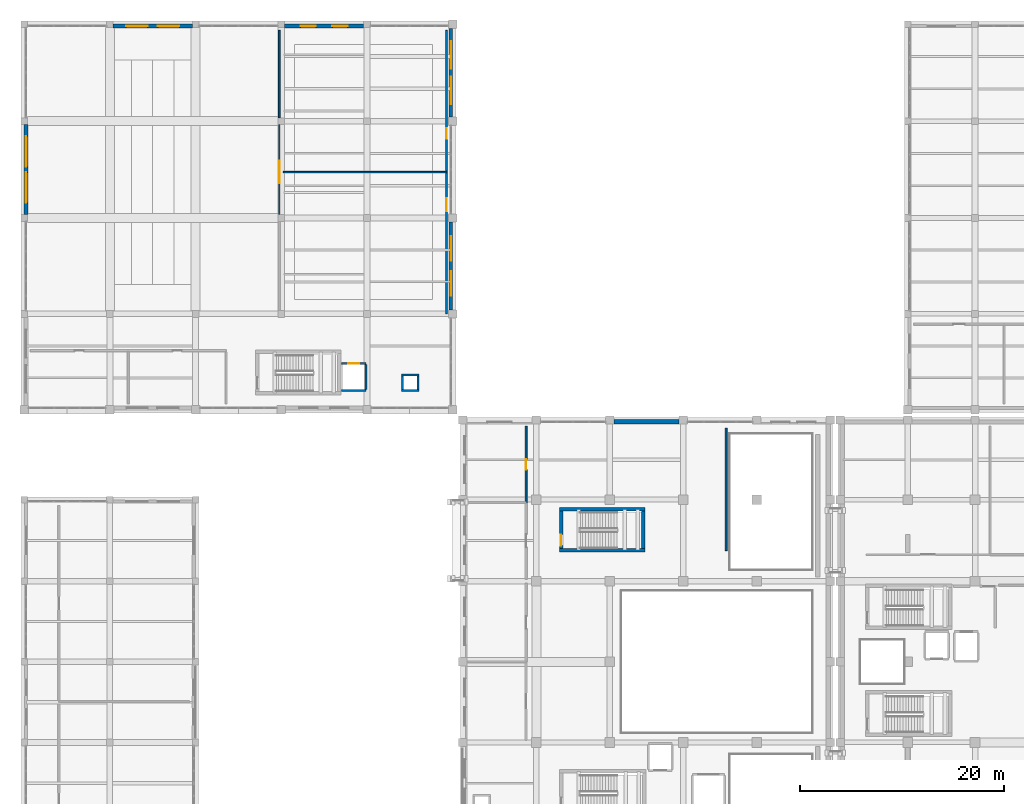
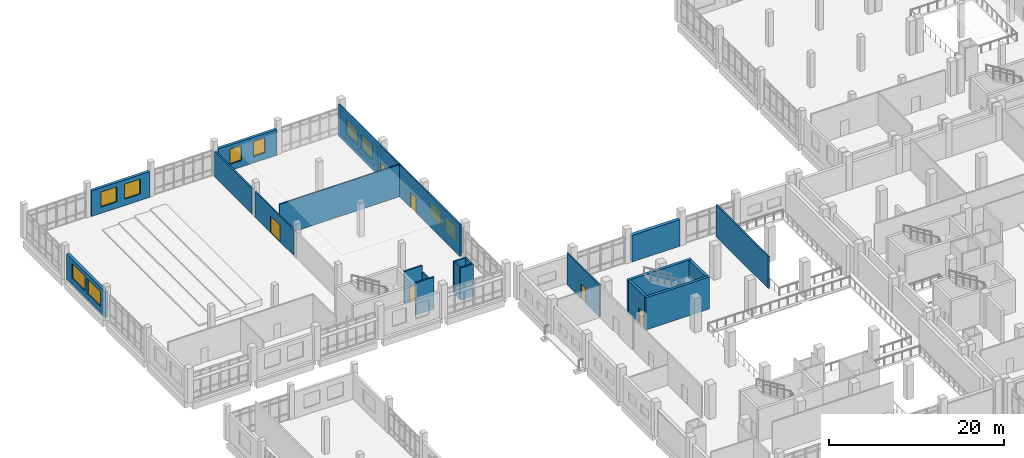
# One storey, part 69 of 90: 24 walls, 10 windows, 6 doors, 16 openings.
"""IFC4 building model written with IfcOpenShell, lengths in metres."""

from ifc_helpers import new_model, si_unit, direction, frame, frame_2d, origin, place, context, subcontext, project, spatial, rectangle, extrude, material, layer, layer_set, type_object, element, fill, save


model = new_model("IFC4")

# Units and contexts
model_context = context("Model", 3, precision=1e-05, world=origin(), true_north=direction((0.0, 1.0)))
body_context = subcontext(model_context, "Body", "Model", "MODEL_VIEW")
ifc_project = project(units=[si_unit("LENGTHUNIT", "METRE"), si_unit("AREAUNIT", "SQUARE_METRE"), si_unit("VOLUMEUNIT", "CUBIC_METRE"), si_unit("PLANEANGLEUNIT", "RADIAN"), si_unit("MASSUNIT", "GRAM", prefix="KILO")], contexts=[model_context])

# Site, building, storey
site_placement = place(None, origin())
site = spatial("IfcSite", under=ifc_project, at=site_placement, CompositionType="ELEMENT")
building_placement = place(site_placement, origin())
building = spatial("IfcBuilding", under=site, at=building_placement, Name="Kelarvand Opera House", CompositionType="ELEMENT")
storey_placement = place(building_placement, frame((0.0, 0.0, 5.39990234375)))
storey = spatial("IfcBuildingStorey", under=building, at=storey_placement, Name="L01", CompositionType="ELEMENT", Elevation=5.39990234375)

# Wall
ifc_material_1 = material(Name="Acoustic double-stud gypsum partition")
ifc_layer_1 = layer(ifc_material_1, 0.14990234375, Name="Acoustic double-stud gypsum partition")
ifc_layer_set_1 = layer_set([ifc_layer_1], Name="Acoustic double-stud gypsum partition")
wall_type_1 = type_object("IfcWallType", Name="Acoustic Room Partition Wall 150", PredefinedType="PARTITIONING", material=ifc_layer_set_1)
wall_1_placement = place(storey_placement, frame((34.39990234375, 110.5, 0.0), z_axis=(0.0, 0.0, 1.0), x_axis=(1.0, 0.0, 0.0)))
element("IfcWall", 1, at=wall_1_placement, inside=storey, type_object=wall_type_1, Name="V3 L01 Partition Wall IW-150 (397)", PredefinedType="PARTITIONING", context=body_context, shape_type="SweptSolid", body=[
    extrude(rectangle(XDim=16.0, YDim=0.14990234375, at=frame_2d((8.0, 0.0))), origin(), (0.0, 0.0, 1.0), 4.4921875),
])

# Wall, openings, windows
ifc_material_2 = material(Name="Concrete C35/45", Category="concrete")
ifc_layer_2 = layer(ifc_material_2, 0.360107421875, Name="Concrete C35/45", Category="concrete")
ifc_layer_set_2 = layer_set([ifc_layer_2], Name="Concrete C35/45")
wall_type_2 = type_object("IfcWallType", Name="Azarshahr Travertine Cavity Wall 360", PredefinedType="SOLIDWALL", material=ifc_layer_set_2)
wall_2_placement = place(storey_placement, frame((50.820068359375, 124.590087890625, 0.0), z_axis=(0.0, 0.0, 1.0), x_axis=(0.0, -1.0, 0.0)))
wall_2 = element("IfcWall", 2, at=wall_2_placement, inside=storey, type_object=wall_type_2, Name="V3 L01 Exterior Wall EW-360 (406)", PredefinedType="SOLIDWALL", context=body_context, shape_type="SweptSolid", body=[
    extrude(rectangle(XDim=8.68017578125, YDim=0.360107421875, at=frame_2d((4.340087890625, 0.0))), origin(), (0.0, 0.0, 1.0), 3.592041015625),
])
opening_1_placement = place(wall_2_placement, frame((1.25390625, 0.0, 0.89990234375)))
opening_1 = element("IfcOpeningElement", 3, at=opening_1_placement, cuts=wall_2, Name="Opening WN-08", PredefinedType="OPENING", context=body_context, shape_type="SweptSolid", body=[
    extrude(rectangle(XDim=2.699951171875, YDim=2.10009765625, at=frame_2d((1.35009765625, 1.050048828125))), frame((0.0, 0.18994140625, 0.0), z_axis=(0.0, -1.0, 0.0), x_axis=(1.0, 0.0, 0.0)), (0.0, 0.0, 1.0), 0.380126953125),
])
opening_2_placement = place(wall_2_placement, frame((4.72607421875, 0.0, 0.89990234375)))
opening_2 = element("IfcOpeningElement", 4, at=opening_2_placement, cuts=wall_2, Name="Opening WN-08", PredefinedType="OPENING", context=body_context, shape_type="SweptSolid", body=[
    extrude(rectangle(XDim=2.699951171875, YDim=2.10009765625, at=frame_2d((1.35009765625, 1.050048828125))), frame((0.0, 0.18994140625, 0.0), z_axis=(0.0, -1.0, 0.0), x_axis=(1.0, 0.0, 0.0)), (0.0, 0.0, 1.0), 0.380126953125),
])
ifc_material_3 = material(Name="Thermally broken aluminium and low-E double glazing", Category="aluminium")
window_type_1 = type_object("IfcWindowType", Name="Recessed Aluminium Thermal Window 2700x2100 WN-08", PartitioningType="SINGLE_PANEL", PredefinedType="WINDOW", material=ifc_material_3)
window_1_placement = place(opening_1_placement, origin())
window_1 = element("IfcWindow", 5, at=window_1_placement, inside=storey, type_object=window_type_1, Name="V3 L01 Facade Window WN-08 (156)", OverallHeight=2.10009765625, OverallWidth=2.699951171875, PartitioningType="SINGLE_PANEL", PredefinedType="WINDOW", context=body_context, shape_type="SweptSolid", body=[
    extrude(rectangle(XDim=2.699951171875, YDim=2.10009765625, at=frame_2d((1.35009765625, 1.050048828125))), frame((0.0, 0.030029296875, 0.0), z_axis=(0.0, -1.0, 0.0), x_axis=(1.0, 0.0, 0.0)), (0.0, 0.0, 1.0), 0.06005859375),
])
fill(opening_1, window_1)
window_2_placement = place(opening_2_placement, origin())
window_2 = element("IfcWindow", 6, at=window_2_placement, inside=storey, type_object=window_type_1, Name="V3 L01 Facade Window WN-08 (157)", OverallHeight=2.10009765625, OverallWidth=2.699951171875, PartitioningType="SINGLE_PANEL", PredefinedType="WINDOW", context=body_context, shape_type="SweptSolid", body=[
    extrude(rectangle(XDim=2.699951171875, YDim=2.10009765625, at=frame_2d((1.35009765625, 1.050048828125))), frame((0.0, 0.030029296875, 0.0), z_axis=(0.0, -1.0, 0.0), x_axis=(1.0, 0.0, 0.0)), (0.0, 0.0, 1.0), 0.06005859375),
])
fill(opening_2, window_2)

wall_3_placement = place(storey_placement, frame((50.820068359375, 105.590087890625, 0.0), z_axis=(0.0, 0.0, 1.0), x_axis=(0.0, -1.0, 0.0)))
wall_3 = element("IfcWall", 7, at=wall_3_placement, inside=storey, type_object=wall_type_2, Name="V3 L01 Exterior Wall EW-360 (407)", PredefinedType="SOLIDWALL", context=body_context, shape_type="SweptSolid", body=[
    extrude(rectangle(XDim=8.580078125, YDim=0.360107421875, at=frame_2d((4.2900390625, 0.0))), origin(), (0.0, 0.0, 1.0), 3.592041015625),
])
opening_3_placement = place(wall_3_placement, frame((1.3740234375, 0.0, 0.89990234375)))
opening_3 = element("IfcOpeningElement", 8, at=opening_3_placement, cuts=wall_3, Name="Opening WN-07", PredefinedType="OPENING", context=body_context, shape_type="SweptSolid", body=[
    extrude(rectangle(XDim=2.39990234375, YDim=2.10009765625, at=frame_2d((1.199951171875, 1.050048828125))), frame((0.0, 0.18994140625, 0.0), z_axis=(0.0, -1.0, 0.0), x_axis=(1.0, 0.0, 0.0)), (0.0, 0.0, 1.0), 0.380126953125),
])
opening_4_placement = place(wall_3_placement, frame((4.805908203125, 0.0, 0.89990234375)))
opening_4 = element("IfcOpeningElement", 9, at=opening_4_placement, cuts=wall_3, Name="Opening WN-07", PredefinedType="OPENING", context=body_context, shape_type="SweptSolid", body=[
    extrude(rectangle(XDim=2.39990234375, YDim=2.10009765625, at=frame_2d((1.199951171875, 1.050048828125))), frame((0.0, 0.18994140625, 0.0), z_axis=(0.0, -1.0, 0.0), x_axis=(1.0, 0.0, 0.0)), (0.0, 0.0, 1.0), 0.380126953125),
])
window_type_2 = type_object("IfcWindowType", Name="Recessed Aluminium Thermal Window 2400x2100 WN-07", PartitioningType="SINGLE_PANEL", PredefinedType="WINDOW", material=ifc_material_3)
window_3_placement = place(opening_3_placement, origin())
window_3 = element("IfcWindow", 10, at=window_3_placement, inside=storey, type_object=window_type_2, Name="V3 L01 Facade Window WN-07 (158)", OverallHeight=2.10009765625, OverallWidth=2.39990234375, PartitioningType="SINGLE_PANEL", PredefinedType="WINDOW", context=body_context, shape_type="SweptSolid", body=[
    extrude(rectangle(XDim=2.39990234375, YDim=2.10009765625, at=frame_2d((1.199951171875, 1.050048828125))), frame((0.0, 0.030029296875, 0.0), z_axis=(0.0, -1.0, 0.0), x_axis=(1.0, 0.0, 0.0)), (0.0, 0.0, 1.0), 0.06005859375),
])
fill(opening_3, window_3)
window_4_placement = place(opening_4_placement, origin())
window_4 = element("IfcWindow", 11, at=window_4_placement, inside=storey, type_object=window_type_2, Name="V3 L01 Facade Window WN-07 (159)", OverallHeight=2.10009765625, OverallWidth=2.39990234375, PartitioningType="SINGLE_PANEL", PredefinedType="WINDOW", context=body_context, shape_type="SweptSolid", body=[
    extrude(rectangle(XDim=2.39990234375, YDim=2.10009765625, at=frame_2d((1.199951171875, 1.050048828125))), frame((0.0, 0.030029296875, 0.0), z_axis=(0.0, -1.0, 0.0), x_axis=(1.0, 0.0, 0.0)), (0.0, 0.0, 1.0), 0.06005859375),
])
fill(opening_4, window_4)

wall_4_placement = place(storey_placement, frame((17.72509765625, 124.820068359375, 0.0), z_axis=(0.0, 0.0, 1.0), x_axis=(1.0, 0.0, 0.0)))
wall_4 = element("IfcWall", 12, at=wall_4_placement, inside=storey, type_object=wall_type_2, Name="V3 L01 Exterior Wall EW-360 (408)", PredefinedType="SOLIDWALL", context=body_context, shape_type="SweptSolid", body=[
    extrude(rectangle(XDim=7.75, YDim=0.360107421875, at=frame_2d((3.875, 0.0))), origin(), (0.0, 0.0, 1.0), 3.592041015625),
])
opening_5_placement = place(wall_4_placement, frame((1.27490234375, 0.0, 0.89990234375)))
opening_5 = element("IfcOpeningElement", 13, at=opening_5_placement, cuts=wall_4, Name="Opening WN-06", PredefinedType="OPENING", context=body_context, shape_type="SweptSolid", body=[
    extrude(rectangle(XDim=2.10009765625, YDim=2.10009765625, at=frame_2d((1.050048828125, 1.050048828125))), frame((0.0, 0.18994140625, 0.0), z_axis=(0.0, -1.0, 0.0), x_axis=(1.0, 0.0, 0.0)), (0.0, 0.0, 1.0), 0.380126953125),
])
opening_6_placement = place(wall_4_placement, frame((4.375, 0.0, 0.89990234375)))
opening_6 = element("IfcOpeningElement", 14, at=opening_6_placement, cuts=wall_4, Name="Opening WN-06", PredefinedType="OPENING", context=body_context, shape_type="SweptSolid", body=[
    extrude(rectangle(XDim=2.10009765625, YDim=2.10009765625, at=frame_2d((1.050048828125, 1.050048828125))), frame((0.0, 0.18994140625, 0.0), z_axis=(0.0, -1.0, 0.0), x_axis=(1.0, 0.0, 0.0)), (0.0, 0.0, 1.0), 0.380126953125),
])
window_type_3 = type_object("IfcWindowType", Name="Recessed Aluminium Thermal Window 2100x2100 WN-06", PartitioningType="SINGLE_PANEL", PredefinedType="WINDOW", material=ifc_material_3)
window_5_placement = place(opening_5_placement, origin())
window_5 = element("IfcWindow", 15, at=window_5_placement, inside=storey, type_object=window_type_3, Name="V3 L01 Facade Window WN-06 (160)", OverallHeight=2.10009765625, OverallWidth=2.10009765625, PartitioningType="SINGLE_PANEL", PredefinedType="WINDOW", context=body_context, shape_type="SweptSolid", body=[
    extrude(rectangle(XDim=2.10009765625, YDim=2.10009765625, at=frame_2d((1.050048828125, 1.050048828125))), frame((0.0, 0.030029296875, 0.0), z_axis=(0.0, -1.0, 0.0), x_axis=(1.0, 0.0, 0.0)), (0.0, 0.0, 1.0), 0.06005859375),
])
fill(opening_5, window_5)
window_6_placement = place(opening_6_placement, origin())
window_6 = element("IfcWindow", 16, at=window_6_placement, inside=storey, type_object=window_type_3, Name="V3 L01 Facade Window WN-06 (161)", OverallHeight=2.10009765625, OverallWidth=2.10009765625, PartitioningType="SINGLE_PANEL", PredefinedType="WINDOW", context=body_context, shape_type="SweptSolid", body=[
    extrude(rectangle(XDim=2.10009765625, YDim=2.10009765625, at=frame_2d((1.050048828125, 1.050048828125))), frame((0.0, 0.030029296875, 0.0), z_axis=(0.0, -1.0, 0.0), x_axis=(1.0, 0.0, 0.0)), (0.0, 0.0, 1.0), 0.06005859375),
])
fill(opening_6, window_6)

wall_5_placement = place(storey_placement, frame((34.52490234375, 124.820068359375, 0.0), z_axis=(0.0, 0.0, 1.0), x_axis=(1.0, 0.0, 0.0)))
wall_5 = element("IfcWall", 17, at=wall_5_placement, inside=storey, type_object=wall_type_2, Name="V3 L01 Exterior Wall EW-360 (409)", PredefinedType="SOLIDWALL", context=body_context, shape_type="SweptSolid", body=[
    extrude(rectangle(XDim=7.75, YDim=0.360107421875, at=frame_2d((3.875, 0.0))), origin(), (0.0, 0.0, 1.0), 3.592041015625),
])
opening_7_placement = place(wall_5_placement, frame((1.574951171875, 0.0, 0.89990234375)))
opening_7 = element("IfcOpeningElement", 18, at=opening_7_placement, cuts=wall_5, Name="Opening WN-04", PredefinedType="OPENING", context=body_context, shape_type="SweptSolid", body=[
    extrude(rectangle(XDim=1.5, YDim=2.10009765625, at=frame_2d((0.75, 1.050048828125))), frame((0.0, 0.18994140625, 0.0), z_axis=(0.0, -1.0, 0.0), x_axis=(1.0, 0.0, 0.0)), (0.0, 0.0, 1.0), 0.380126953125),
])
opening_8_placement = place(wall_5_placement, frame((4.675048828125, 0.0, 0.89990234375)))
opening_8 = element("IfcOpeningElement", 19, at=opening_8_placement, cuts=wall_5, Name="Opening WN-04", PredefinedType="OPENING", context=body_context, shape_type="SweptSolid", body=[
    extrude(rectangle(XDim=1.5, YDim=2.10009765625, at=frame_2d((0.75, 1.050048828125))), frame((0.0, 0.18994140625, 0.0), z_axis=(0.0, -1.0, 0.0), x_axis=(1.0, 0.0, 0.0)), (0.0, 0.0, 1.0), 0.380126953125),
])
window_type_4 = type_object("IfcWindowType", Name="Recessed Aluminium Thermal Window 1500x2100 WN-04", PartitioningType="SINGLE_PANEL", PredefinedType="WINDOW", material=ifc_material_3)
window_7_placement = place(opening_7_placement, origin())
window_7 = element("IfcWindow", 20, at=window_7_placement, inside=storey, type_object=window_type_4, Name="V3 L01 Facade Window WN-04 (162)", OverallHeight=2.10009765625, OverallWidth=1.5, PartitioningType="SINGLE_PANEL", PredefinedType="WINDOW", context=body_context, shape_type="SweptSolid", body=[
    extrude(rectangle(XDim=1.5, YDim=2.10009765625, at=frame_2d((0.75, 1.050048828125))), frame((0.0, 0.030029296875, 0.0), z_axis=(0.0, -1.0, 0.0), x_axis=(1.0, 0.0, 0.0)), (0.0, 0.0, 1.0), 0.06005859375),
])
fill(opening_7, window_7)
window_8_placement = place(opening_8_placement, origin())
window_8 = element("IfcWindow", 21, at=window_8_placement, inside=storey, type_object=window_type_4, Name="V3 L01 Facade Window WN-04 (163)", OverallHeight=2.10009765625, OverallWidth=1.5, PartitioningType="SINGLE_PANEL", PredefinedType="WINDOW", context=body_context, shape_type="SweptSolid", body=[
    extrude(rectangle(XDim=1.5, YDim=2.10009765625, at=frame_2d((0.75, 1.050048828125))), frame((0.0, 0.030029296875, 0.0), z_axis=(0.0, -1.0, 0.0), x_axis=(1.0, 0.0, 0.0)), (0.0, 0.0, 1.0), 0.06005859375),
])
fill(opening_8, window_8)

wall_6_placement = place(storey_placement, frame((9.179931640625, 106.324951171875, 0.0), z_axis=(0.0, 0.0, 1.0), x_axis=(0.0, 1.0, 0.0)))
wall_6 = element("IfcWall", 22, at=wall_6_placement, inside=storey, type_object=wall_type_2, Name="V3 L01 Exterior Wall EW-360 (411)", PredefinedType="SOLIDWALL", context=body_context, shape_type="SweptSolid", body=[
    extrude(rectangle(XDim=8.85009765625, YDim=0.360107421875, at=frame_2d((4.425048828125, 0.0))), origin(), (0.0, 0.0, 1.0), 3.592041015625),
])
opening_9_placement = place(wall_6_placement, frame((1.155029296875, 0.0, 0.89990234375)))
opening_9 = element("IfcOpeningElement", 23, at=opening_9_placement, cuts=wall_6, Name="Opening WN-09", PredefinedType="OPENING", context=body_context, shape_type="SweptSolid", body=[
    extrude(rectangle(XDim=3.0, YDim=2.10009765625, at=frame_2d((1.5, 1.050048828125))), frame((0.0, 0.18994140625, 0.0), z_axis=(0.0, -1.0, 0.0), x_axis=(1.0, 0.0, 0.0)), (0.0, 0.0, 1.0), 0.380126953125),
])
opening_10_placement = place(wall_6_placement, frame((4.695068359375, 0.0, 0.89990234375)))
opening_10 = element("IfcOpeningElement", 24, at=opening_10_placement, cuts=wall_6, Name="Opening WN-09", PredefinedType="OPENING", context=body_context, shape_type="SweptSolid", body=[
    extrude(rectangle(XDim=3.0, YDim=2.10009765625, at=frame_2d((1.5, 1.050048828125))), frame((0.0, 0.18994140625, 0.0), z_axis=(0.0, -1.0, 0.0), x_axis=(1.0, 0.0, 0.0)), (0.0, 0.0, 1.0), 0.380126953125),
])
window_type_5 = type_object("IfcWindowType", Name="Recessed Aluminium Thermal Window 3000x2100 WN-09", PartitioningType="SINGLE_PANEL", PredefinedType="WINDOW", material=ifc_material_3)
window_9_placement = place(opening_9_placement, origin())
window_9 = element("IfcWindow", 25, at=window_9_placement, inside=storey, type_object=window_type_5, Name="V3 L01 Facade Window WN-09 (166)", OverallHeight=2.10009765625, OverallWidth=3.0, PartitioningType="SINGLE_PANEL", PredefinedType="WINDOW", context=body_context, shape_type="SweptSolid", body=[
    extrude(rectangle(XDim=3.0, YDim=2.10009765625, at=frame_2d((1.5, 1.050048828125))), frame((0.0, 0.030029296875, 0.0), z_axis=(0.0, -1.0, 0.0), x_axis=(1.0, 0.0, 0.0)), (0.0, 0.0, 1.0), 0.06005859375),
])
fill(opening_9, window_9)
window_10_placement = place(opening_10_placement, origin())
window_10 = element("IfcWindow", 26, at=window_10_placement, inside=storey, type_object=window_type_5, Name="V3 L01 Facade Window WN-09 (167)", OverallHeight=2.10009765625, OverallWidth=3.0, PartitioningType="SINGLE_PANEL", PredefinedType="WINDOW", context=body_context, shape_type="SweptSolid", body=[
    extrude(rectangle(XDim=3.0, YDim=2.10009765625, at=frame_2d((1.5, 1.050048828125))), frame((0.0, 0.030029296875, 0.0), z_axis=(0.0, -1.0, 0.0), x_axis=(1.0, 0.0, 0.0)), (0.0, 0.0, 1.0), 0.06005859375),
])
fill(opening_10, window_10)

# Walls
ifc_material_4 = material(Name="Concrete C40/50", Category="concrete")
ifc_layer_3 = layer(ifc_material_4, 0.35009765625, Name="Concrete C40/50", Category="concrete")
ifc_layer_set_3 = layer_set([ifc_layer_3], Name="Concrete C40/50")
wall_type_3 = type_object("IfcWallType", Name="Core Stair and Lift Shear Wall 350", PredefinedType="SHEAR", material=ifc_layer_set_3)
for number, where, z_axis, x_axis, name in (
    (27, (61.449951171875, 73.425048828125, 0.0), (0.0, 0.0, 1.0), (1.0, 0.0, 0.0), "C3 Stair Core Shear Wall S L01"),
    (28, (69.85009765625, 77.47509765625, 0.0), (0.0, 0.0, 1.0), (-1.0, 0.0, 0.0), "C3 Stair Core Shear Wall N L01"),
):
    element("IfcWall", number, at=place(storey_placement, frame(where, z_axis=z_axis, x_axis=x_axis)), inside=storey, type_object=wall_type_3, Name=name, PredefinedType="SHEAR", context=body_context, shape_type="SweptSolid", body=[
        extrude(rectangle(XDim=8.400146484375, YDim=0.35009765625, at=frame_2d((4.2001953125, 0.0))), origin(), (0.0, 0.0, 1.0), 4.47998046875),
    ])

# Wall, opening, door
wall_7_placement = place(storey_placement, frame((61.625, 73.60009765625, 0.0), z_axis=(0.0, 0.0, 1.0), x_axis=(0.0, 1.0, 0.0)))
wall_7 = element("IfcWall", 29, at=wall_7_placement, inside=storey, type_object=wall_type_3, Name="C3 Stair Core Shear Wall W L01", PredefinedType="SHEAR", context=body_context, shape_type="SweptSolid", body=[
    extrude(rectangle(XDim=3.699951171875, YDim=0.35009765625, at=frame_2d((1.85009765625, 0.0))), origin(), (0.0, 0.0, 1.0), 4.47998046875),
])
opening_11_placement = place(wall_7_placement, frame((0.280029296875, 0.0, 0.0)))
opening_11 = element("IfcOpeningElement", 30, at=opening_11_placement, cuts=wall_7, Name="Opening FD-01", PredefinedType="OPENING", context=body_context, shape_type="SweptSolid", body=[
    extrude(rectangle(XDim=1.10009765625, YDim=2.080078125, at=frame_2d((0.550048828125, 1.0400390625))), frame((0.0, 0.18505859375, 0.0), z_axis=(0.0, -1.0, 0.0), x_axis=(1.0, 0.0, 0.0)), (0.0, 0.0, 1.0), 0.3701171875),
])
ifc_material_5 = material(Name="Fire-rated brushed stainless steel", Category="steel")
door_type_1 = type_object("IfcDoorType", Name="Steel Fire-Rated Stair and FF Lobby Door 1100x2080", OperationType="NOTDEFINED", PredefinedType="DOOR", material=ifc_material_5)
door_1_placement = place(opening_11_placement, origin())
door_1 = element("IfcDoor", 31, at=door_1_placement, inside=storey, type_object=door_type_1, Name="C3 Stair ST-03 Fire Door L01", OperationType="SINGLE_SWING_LEFT", OverallHeight=2.080078125, OverallWidth=1.10009765625, PredefinedType="DOOR", context=body_context, shape_type="SweptSolid", body=[
    extrude(rectangle(XDim=1.10009765625, YDim=2.080078125, at=frame_2d((0.550048828125, 1.0400390625))), frame((0.0, 0.02490234375, 0.0), z_axis=(0.0, -1.0, 0.0), x_axis=(1.0, 0.0, 0.0)), (0.0, 0.0, 1.0), 0.050048828125),
])
fill(opening_11, door_1)

# Wall
wall_8_placement = place(storey_placement, frame((69.675048828125, 77.300048828125, 0.0), z_axis=(0.0, 0.0, 1.0), x_axis=(0.0, -1.0, 0.0)))
element("IfcWall", 32, at=wall_8_placement, inside=storey, type_object=wall_type_3, Name="C3 Stair Core Shear Wall E L01", PredefinedType="SHEAR", context=body_context, shape_type="SweptSolid", body=[
    extrude(rectangle(XDim=3.699951171875, YDim=0.35009765625, at=frame_2d((1.85009765625, 0.0))), origin(), (0.0, 0.0, 1.0), 4.47998046875),
])

# Wall, opening, door
ifc_layer_4 = layer(ifc_material_2, 0.179931640625, Name="Concrete C35/45", Category="concrete")
ifc_layer_set_4 = layer_set([ifc_layer_4], Name="Concrete C35/45")
wall_type_4 = type_object("IfcWallType", Name="Corridor Fire-Rated Partition Wall 180 EI90", PredefinedType="PARTITIONING", material=ifc_layer_set_4)
wall_9_placement = place(storey_placement, frame((58.199951171875, 78.10009765625, 0.0), z_axis=(0.0, 0.0, 1.0), x_axis=(0.0, 1.0, 0.0)))
wall_9 = element("IfcWall", 33, at=wall_9_placement, inside=storey, type_object=wall_type_4, Name="V2 L01 Partition Wall IW-90 (391)", PredefinedType="PARTITIONING", context=body_context, shape_type="SweptSolid", body=[
    extrude(rectangle(XDim=7.5, YDim=0.179931640625, at=frame_2d((3.75, 0.0))), origin(), (0.0, 0.0, 1.0), 4.47216796875),
])
opening_12_placement = place(wall_9_placement, frame((3.22509765625, 0.0, 0.0)))
opening_12 = element("IfcOpeningElement", 34, at=opening_12_placement, cuts=wall_9, Name="Opening D-02", PredefinedType="OPENING", context=body_context, shape_type="SweptSolid", body=[
    extrude(rectangle(XDim=1.050048828125, YDim=2.10009765625, at=frame_2d((0.52490234375, 1.050048828125))), frame((0.0, 0.10009765625, 0.0), z_axis=(0.0, -1.0, 0.0), x_axis=(1.0, 0.0, 0.0)), (0.0, 0.0, 1.0), 0.199951171875),
])
ifc_material_6 = material(Name="Acoustic walnut-veneered hardwood", Category="wood")
door_type_2 = type_object("IfcDoorType", Name="Acoustic Studio Single Door 1050x2100", OperationType="NOTDEFINED", PredefinedType="DOOR", material=ifc_material_6)
door_2_placement = place(opening_12_placement, origin())
door_2 = element("IfcDoor", 35, at=door_2_placement, inside=storey, type_object=door_type_2, Name="V2 L01 Door D-02 (171)", OperationType="SINGLE_SWING_LEFT", OverallHeight=2.10009765625, OverallWidth=1.050048828125, PredefinedType="DOOR", context=body_context, shape_type="SweptSolid", body=[
    extrude(rectangle(XDim=1.050048828125, YDim=2.10009765625, at=frame_2d((0.52490234375, 1.050048828125))), frame((0.0, 0.02490234375, 0.0), z_axis=(0.0, -1.0, 0.0), x_axis=(1.0, 0.0, 0.0)), (0.0, 0.0, 1.0), 0.050048828125),
])
fill(opening_12, door_2)

# Wall
wall_10_placement = place(storey_placement, frame((77.800048828125, 73.39990234375, 0.0), z_axis=(0.0, 0.0, 1.0), x_axis=(0.0, 1.0, 0.0)))
element("IfcWall", 36, at=wall_10_placement, inside=storey, type_object=wall_type_4, Name="V2 L01 Partition Wall IW-90 (392)", PredefinedType="PARTITIONING", context=body_context, shape_type="SweptSolid", body=[
    extrude(rectangle(XDim=12.0, YDim=0.179931640625, at=frame_2d((6.0, 0.0))), origin(), (0.0, 0.0, 1.0), 4.47216796875),
])

# Wall, opening, door
wall_11_placement = place(storey_placement, frame((34.0, 106.324951171875, 0.0), z_axis=(0.0, 0.0, 1.0), x_axis=(0.0, 1.0, 0.0)))
wall_11 = element("IfcWall", 37, at=wall_11_placement, inside=storey, type_object=wall_type_4, Name="V3 L01 Partition Wall IW-90 (394)", PredefinedType="PARTITIONING", context=body_context, shape_type="SweptSolid", body=[
    extrude(rectangle(XDim=8.85009765625, YDim=0.179931640625, at=frame_2d((4.425048828125, 0.0))), origin(), (0.0, 0.0, 1.0), 3.592041015625),
])
opening_13_placement = place(wall_11_placement, frame((3.074951171875, 0.0, 0.0)))
opening_13 = element("IfcOpeningElement", 38, at=opening_13_placement, cuts=wall_11, Name="Opening D-18", PredefinedType="OPENING", context=body_context, shape_type="SweptSolid", body=[
    extrude(rectangle(XDim=2.199951171875, YDim=2.320068359375, at=frame_2d((1.10009765625, 1.16015625))), frame((0.0, 0.10009765625, 0.0), z_axis=(0.0, -1.0, 0.0), x_axis=(1.0, 0.0, 0.0)), (0.0, 0.0, 1.0), 0.199951171875),
])
door_type_3 = type_object("IfcDoorType", Name="Main Concourse Glazed Double Door 2200x2320", OperationType="NOTDEFINED", PredefinedType="DOOR", material=ifc_material_6)
door_3_placement = place(opening_13_placement, origin())
door_3 = element("IfcDoor", 39, at=door_3_placement, inside=storey, type_object=door_type_3, Name="V3 L01 Door D-18 (172)", OperationType="DOUBLE_DOOR_SINGLE_SWING", OverallHeight=2.320068359375, OverallWidth=2.199951171875, PredefinedType="DOOR", context=body_context, shape_type="SweptSolid", body=[
    extrude(rectangle(XDim=2.199951171875, YDim=2.320068359375, at=frame_2d((1.10009765625, 1.16015625))), frame((0.0, 0.02490234375, 0.0), z_axis=(0.0, -1.0, 0.0), x_axis=(1.0, 0.0, 0.0)), (0.0, 0.0, 1.0), 0.050048828125),
])
fill(opening_13, door_3)

# Wall
wall_12_placement = place(storey_placement, frame((34.0, 115.824951171875, 0.0), z_axis=(0.0, 0.0, 1.0), x_axis=(0.0, 1.0, 0.0)))
element("IfcWall", 40, at=wall_12_placement, inside=storey, type_object=wall_type_4, Name="V3 L01 Partition Wall IW-90 (395)", PredefinedType="PARTITIONING", context=body_context, shape_type="SweptSolid", body=[
    extrude(rectangle(XDim=8.574951171875, YDim=0.179931640625, at=frame_2d((4.28759765625, 0.0))), origin(), (0.0, 0.0, 1.0), 3.592041015625),
])

# Wall, opening, door
wall_13_placement = place(storey_placement, frame((50.39990234375, 96.60009765625, 0.0), z_axis=(0.0, 0.0, 1.0), x_axis=(0.0, 1.0, 0.0)))
wall_13 = element("IfcWall", 41, at=wall_13_placement, inside=storey, type_object=wall_type_4, Name="V3 L01 Partition Wall IW-90 (396)", PredefinedType="PARTITIONING", context=body_context, shape_type="SweptSolid", body=[
    extrude(rectangle(XDim=13.89990234375, YDim=0.179931640625, at=frame_2d((6.949951171875, 0.0))), origin(), (0.0, 0.0, 1.0), 4.4921875),
])
opening_14_placement = place(wall_13_placement, frame((10.048095703125, 0.0, 0.0)))
opening_14 = element("IfcOpeningElement", 42, at=opening_14_placement, cuts=wall_13, Name="Opening D-11", PredefinedType="OPENING", context=body_context, shape_type="SweptSolid", body=[
    extrude(rectangle(XDim=1.280029296875, YDim=2.139892578125, at=frame_2d((0.64013671875, 1.06982421875))), frame((0.0, 0.10009765625, 0.0), z_axis=(0.0, -1.0, 0.0), x_axis=(1.0, 0.0, 0.0)), (0.0, 0.0, 1.0), 0.199951171875),
])
door_type_4 = type_object("IfcDoorType", Name="Instrument Store Leaf-and-Half Door 1280x2140", OperationType="NOTDEFINED", PredefinedType="DOOR", material=ifc_material_6)
door_4_placement = place(opening_14_placement, origin())
door_4 = element("IfcDoor", 43, at=door_4_placement, inside=storey, type_object=door_type_4, Name="V3 L01 Door D-11 (173)", OperationType="SINGLE_SWING_RIGHT", OverallHeight=2.139892578125, OverallWidth=1.280029296875, PredefinedType="DOOR", context=body_context, shape_type="SweptSolid", body=[
    extrude(rectangle(XDim=1.280029296875, YDim=2.139892578125, at=frame_2d((0.64013671875, 1.06982421875))), frame((0.0, 0.02490234375, 0.0), z_axis=(0.0, -1.0, 0.0), x_axis=(1.0, 0.0, 0.0)), (0.0, 0.0, 1.0), 0.050048828125),
])
fill(opening_14, door_4)

wall_14_placement = place(storey_placement, frame((50.39990234375, 110.5, 0.0), z_axis=(0.0, 0.0, 1.0), x_axis=(0.0, 1.0, 0.0)))
wall_14 = element("IfcWall", 44, at=wall_14_placement, inside=storey, type_object=wall_type_4, Name="V3 L01 Partition Wall IW-90 (398)", PredefinedType="PARTITIONING", context=body_context, shape_type="SweptSolid", body=[
    extrude(rectangle(XDim=13.89990234375, YDim=0.179931640625, at=frame_2d((6.949951171875, 0.0))), origin(), (0.0, 0.0, 1.0), 4.4921875),
])
opening_15_placement = place(wall_14_placement, frame((3.2529296875, 0.0, 0.0)))
opening_15 = element("IfcOpeningElement", 45, at=opening_15_placement, cuts=wall_14, Name="Opening D-02", PredefinedType="OPENING", context=body_context, shape_type="SweptSolid", body=[
    extrude(rectangle(XDim=1.050048828125, YDim=2.10009765625, at=frame_2d((0.52490234375, 1.050048828125))), frame((0.0, 0.10009765625, 0.0), z_axis=(0.0, -1.0, 0.0), x_axis=(1.0, 0.0, 0.0)), (0.0, 0.0, 1.0), 0.199951171875),
])
door_5_placement = place(opening_15_placement, origin())
door_5 = element("IfcDoor", 46, at=door_5_placement, inside=storey, type_object=door_type_2, Name="V3 L01 Door D-02 (174)", OperationType="SINGLE_SWING_LEFT", OverallHeight=2.10009765625, OverallWidth=1.050048828125, PredefinedType="DOOR", context=body_context, shape_type="SweptSolid", body=[
    extrude(rectangle(XDim=1.050048828125, YDim=2.10009765625, at=frame_2d((0.52490234375, 1.050048828125))), frame((0.0, 0.02490234375, 0.0), z_axis=(0.0, -1.0, 0.0), x_axis=(1.0, 0.0, 0.0)), (0.0, 0.0, 1.0), 0.050048828125),
])
fill(opening_15, door_5)

# Walls
ifc_layer_5 = layer(ifc_material_2, 0.199951171875, Name="Concrete C35/45", Category="concrete")
ifc_layer_set_5 = layer_set([ifc_layer_5], Name="Concrete C35/45")
wall_type_5 = type_object("IfcWallType", Name="Lift and Riser Shaft Enclosure Wall 200 EI120", PredefinedType="PARTITIONING", material=ifc_layer_set_5)
for number, where, z_axis, x_axis, name in (
    (47, (46.0, 89.10009765625, 0.0), (0.0, 0.0, 1.0), (1.0, 0.0, 0.0), "RSR-V3 L01 Riser Shaft Wall 57"),
    (48, (47.699951171875, 90.60009765625, 0.0), (0.0, 0.0, 1.0), (-1.0, 0.0, 0.0), "RSR-V3 L01 Riser Shaft Wall 58"),
):
    element("IfcWall", number, at=place(storey_placement, frame(where, z_axis=z_axis, x_axis=x_axis)), inside=storey, type_object=wall_type_5, Name=name, PredefinedType="PARTITIONING", context=body_context, shape_type="SweptSolid", body=[
        extrude(rectangle(XDim=1.699951171875, YDim=0.199951171875, at=frame_2d((0.85009765625, 0.0))), origin(), (0.0, 0.0, 1.0), 4.5),
    ])
for number, where, z_axis, x_axis, name in (
    (49, (46.10009765625, 89.199951171875, 0.0), (0.0, 0.0, 1.0), (0.0, 1.0, 0.0), "RSR-V3 L01 Riser Shaft Wall 59"),
    (50, (47.60009765625, 90.5, 0.0), (0.0, 0.0, 1.0), (0.0, -1.0, 0.0), "RSR-V3 L01 Riser Shaft Wall 60"),
):
    element("IfcWall", number, at=place(storey_placement, frame(where, z_axis=z_axis, x_axis=x_axis)), inside=storey, type_object=wall_type_5, Name=name, PredefinedType="PARTITIONING", context=body_context, shape_type="SweptSolid", body=[
        extrude(rectangle(XDim=1.300048828125, YDim=0.199951171875, at=frame_2d((0.64990234375, 0.0))), origin(), (0.0, 0.0, 1.0), 4.5),
    ])
wall_15_placement = place(storey_placement, frame((40.10009765625, 89.10009765625, 0.0), z_axis=(0.0, 0.0, 1.0), x_axis=(1.0, 0.0, 0.0)))
element("IfcWall", 51, at=wall_15_placement, inside=storey, type_object=wall_type_5, Name="V3 L01 Partition Wall SW-200 (349)", PredefinedType="PARTITIONING", context=body_context, shape_type="SweptSolid", body=[
    extrude(rectangle(XDim=2.39990234375, YDim=0.199951171875, at=frame_2d((1.199951171875, 0.0))), origin(), (0.0, 0.0, 1.0), 4.4921875),
])

# Wall, opening, door
wall_16_placement = place(storey_placement, frame((42.5, 91.75, 0.0), z_axis=(0.0, 0.0, 1.0), x_axis=(-1.0, 0.0, 0.0)))
wall_16 = element("IfcWall", 52, at=wall_16_placement, inside=storey, type_object=wall_type_5, Name="V3 L01 Partition Wall SW-200 (350)", PredefinedType="PARTITIONING", context=body_context, shape_type="SweptSolid", body=[
    extrude(rectangle(XDim=2.39990234375, YDim=0.199951171875, at=frame_2d((1.199951171875, 0.0))), origin(), (0.0, 0.0, 1.0), 4.4921875),
])
opening_16_placement = place(wall_16_placement, frame((0.64990234375, 0.0, 0.0)))
opening_16 = element("IfcOpeningElement", 53, at=opening_16_placement, cuts=wall_16, Name="Opening LD-01", PredefinedType="OPENING", context=body_context, shape_type="SweptSolid", body=[
    extrude(rectangle(XDim=1.10009765625, YDim=2.14990234375, at=frame_2d((0.550048828125, 1.074951171875))), frame((0.0, 0.10986328125, 0.0), z_axis=(0.0, -1.0, 0.0), x_axis=(1.0, 0.0, 0.0)), (0.0, 0.0, 1.0), 0.219970703125),
])
door_type_5 = type_object("IfcDoorType", Name="Passenger Lift Sliding Landing Door 1100x2150", OperationType="SLIDING_TO_LEFT", PredefinedType="DOOR", material=ifc_material_5)
door_6_placement = place(opening_16_placement, origin())
door_6 = element("IfcDoor", 54, at=door_6_placement, inside=storey, type_object=door_type_5, Name="V3 L01 Door LD-01 (152)", OperationType="SLIDING_TO_LEFT", OverallHeight=2.14990234375, OverallWidth=1.10009765625, PredefinedType="DOOR", context=body_context, shape_type="SweptSolid", body=[
    extrude(rectangle(XDim=1.10009765625, YDim=2.14990234375, at=frame_2d((0.550048828125, 1.074951171875))), frame((0.0, 0.02490234375, 0.0), z_axis=(0.0, -1.0, 0.0), x_axis=(1.0, 0.0, 0.0)), (0.0, 0.0, 1.0), 0.050048828125),
])
fill(opening_16, door_6)

# Walls
wall_17_placement = place(storey_placement, frame((42.5, 91.64990234375, 0.0), z_axis=(0.0, 0.0, 1.0), x_axis=(0.0, -1.0, 0.0)))
element("IfcWall", 55, at=wall_17_placement, inside=storey, type_object=wall_type_5, Name="V3 L01 Partition Wall SW-200 (351)", PredefinedType="PARTITIONING", context=body_context, shape_type="SweptSolid", body=[
    extrude(rectangle(XDim=2.449951171875, YDim=0.199951171875, at=frame_2d((1.22509765625, 0.0))), origin(), (0.0, 0.0, 1.0), 3.592041015625),
])
ifc_layer_6 = layer(ifc_material_2, 0.43994140625, Name="Concrete C35/45", Category="concrete")
ifc_layer_set_6 = layer_set([ifc_layer_6], Name="Concrete C35/45")
wall_type_6 = type_object("IfcWallType", Name="Stage House Acoustic Cavity Wall 440", PredefinedType="SOLIDWALL", material=ifc_layer_set_6)
wall_18_placement = place(storey_placement, frame((66.81005859375, 86.02001953125, 0.0), z_axis=(0.0, 0.0, 1.0), x_axis=(1.0, 0.0, 0.0)))
element("IfcWall", 56, at=wall_18_placement, inside=storey, type_object=wall_type_6, Name="V2 L01 Exterior Wall EW-440 (247)", PredefinedType="SOLIDWALL", context=body_context, shape_type="SweptSolid", body=[
    extrude(rectangle(XDim=6.3798828125, YDim=0.43994140625, at=frame_2d((3.18994140625, 0.0))), origin(), (0.0, 0.0, 1.0), 3.72216796875),
])

save(model, "model.ifc")
